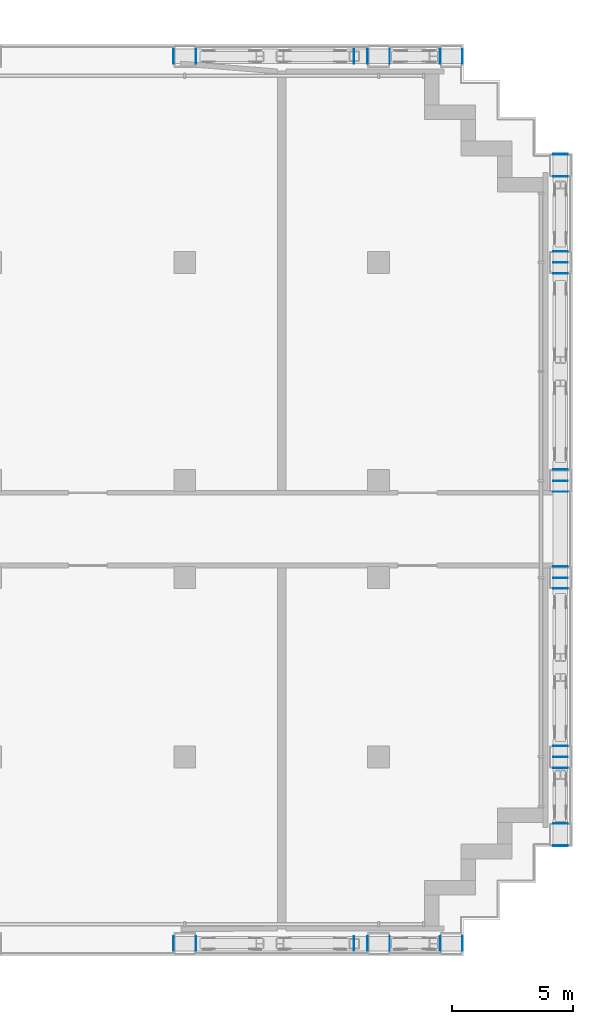
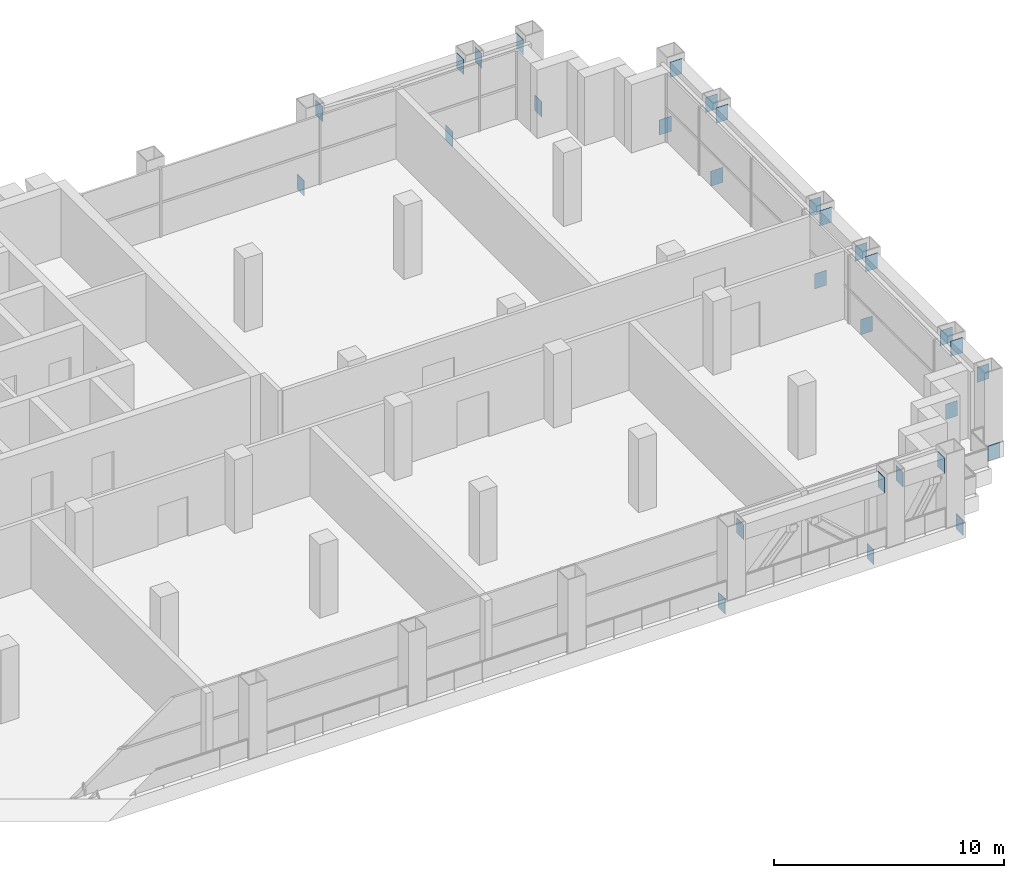
# One storey, part 12 of 19: 30 discrete accessories.
"""IFC4 building model written with IfcOpenShell, lengths in metres."""

from ifc_helpers import new_model, si_unit, direction, frame, origin, origin_2d, place, context, subcontext, project, spatial, rectangle, extrude, element, save


model = new_model("IFC4")

# Units and contexts
model_context = context("Model", 3, precision=1e-05, world=origin(), true_north=direction((0.0, 1.0)))
body_context = subcontext(model_context, "Body", "Model", "MODEL_VIEW")
ifc_project = project(units=[si_unit("LENGTHUNIT", "METRE"), si_unit("AREAUNIT", "SQUARE_METRE"), si_unit("VOLUMEUNIT", "CUBIC_METRE"), si_unit("PLANEANGLEUNIT", "RADIAN"), si_unit("MASSUNIT", "GRAM", prefix="KILO")], contexts=[model_context])

# Site, building, storey
site_placement = place(None, origin())
site = spatial("IfcSite", under=ifc_project, at=site_placement, CompositionType="ELEMENT")
building_placement = place(site_placement, origin())
building = spatial("IfcBuilding", under=site, at=building_placement, Name="Vidyagriha Tower", CompositionType="ELEMENT")
storey_placement = place(building_placement, frame((0.0, 0.0, 73.60009765625)))
storey = spatial("IfcBuildingStorey", under=building, at=storey_placement, Name="L18", CompositionType="ELEMENT", Elevation=73.60009765625)

# Discrete accessories
discrete_accessory_1_placement = place(storey_placement, frame((25.534912109375, -17.10009765625, -0.80029296875), z_axis=(0.0, 0.0, 1.0), x_axis=(-1.0, 0.0, 0.0)))
element("IfcDiscreteAccessory", 1, at=discrete_accessory_1_placement, inside=storey, Name="Chord end plate", ObjectType="END PLATE", PredefinedType="USERDEFINED", context=body_context, shape_type="SweptSolid", body=[
    extrude(rectangle(XDim=0.030029296875, YDim=0.60009765625, at=origin_2d()), origin(), (0.0, 0.0, 1.0), 0.800048828125),
])
discrete_accessory_2_placement = place(storey_placement, frame((37.465087890625, -17.10009765625, -0.80029296875)))
element("IfcDiscreteAccessory", 2, at=discrete_accessory_2_placement, inside=storey, Name="Chord end plate", ObjectType="END PLATE", PredefinedType="USERDEFINED", context=body_context, shape_type="SweptSolid", body=[
    extrude(rectangle(XDim=0.030029296875, YDim=0.60009765625, at=origin_2d()), origin(), (0.0, 0.0, 1.0), 0.800048828125),
])
discrete_accessory_3_placement = place(storey_placement, frame((25.534912109375, 19.5, -0.80029296875), z_axis=(0.0, 0.0, 1.0), x_axis=(-1.0, 0.0, 0.0)))
element("IfcDiscreteAccessory", 3, at=discrete_accessory_3_placement, inside=storey, Name="Chord end plate", ObjectType="END PLATE", PredefinedType="USERDEFINED", context=body_context, shape_type="SweptSolid", body=[
    extrude(rectangle(XDim=0.030029296875, YDim=0.60009765625, at=origin_2d()), origin(), (0.0, 0.0, 1.0), 0.800048828125),
])
discrete_accessory_4_placement = place(storey_placement, frame((37.465087890625, 19.5, -0.80029296875)))
element("IfcDiscreteAccessory", 4, at=discrete_accessory_4_placement, inside=storey, Name="Chord end plate", ObjectType="END PLATE", PredefinedType="USERDEFINED", context=body_context, shape_type="SweptSolid", body=[
    extrude(rectangle(XDim=0.030029296875, YDim=0.60009765625, at=origin_2d()), origin(), (0.0, 0.0, 1.0), 0.800048828125),
])
for number, where, z_axis, x_axis, name in (
    (5, (41.5, -13.06494140625, -0.80029296875), (0.0, 0.0, 1.0), (0.0, -1.0, 0.0), "Chord end plate"),
    (6, (41.5, 15.465087890625, -0.80029296875), (0.0, 0.0, 1.0), (0.0, 1.0, 0.0), "Chord end plate"),
):
    element("IfcDiscreteAccessory", number, at=place(storey_placement, frame(where, z_axis=z_axis, x_axis=x_axis)), inside=storey, Name=name, ObjectType="END PLATE", PredefinedType="USERDEFINED", context=body_context, shape_type="SweptSolid", body=[
        extrude(rectangle(XDim=0.030029296875, YDim=0.60009765625, at=origin_2d()), origin(), (0.0, 0.0, 1.0), 0.800048828125),
    ])
discrete_accessory_5_placement = place(storey_placement, frame((32.990234375, -17.10009765625, -0.80029296875)))
element("IfcDiscreteAccessory", 7, at=discrete_accessory_5_placement, inside=storey, Name="End plate ASTM A572 Grade 50 20mm", ObjectType="END PLATE", PredefinedType="USERDEFINED", context=body_context, shape_type="SweptSolid", body=[
    extrude(rectangle(XDim=0.02001953125, YDim=0.60009765625, at=origin_2d()), origin(), (0.0, 0.0, 1.0), 0.800048828125),
])
discrete_accessory_6_placement = place(storey_placement, frame((26.459716796875, -17.10009765625, 2.81982421875), z_axis=(0.0, 0.0, 1.0), x_axis=(-1.0, 0.0, 0.0)))
element("IfcDiscreteAccessory", 8, at=discrete_accessory_6_placement, inside=storey, Name="End plate ASTM A572 Grade 50 20mm", ObjectType="END PLATE", PredefinedType="USERDEFINED", context=body_context, shape_type="SweptSolid", body=[
    extrude(rectangle(XDim=0.02001953125, YDim=0.60009765625, at=origin_2d()), origin(), (0.0, 0.0, 1.0), 0.800048828125),
])
discrete_accessory_7_placement = place(storey_placement, frame((33.540283203125, -17.10009765625, 2.81982421875)))
element("IfcDiscreteAccessory", 9, at=discrete_accessory_7_placement, inside=storey, Name="End plate ASTM A572 Grade 50 20mm", ObjectType="END PLATE", PredefinedType="USERDEFINED", context=body_context, shape_type="SweptSolid", body=[
    extrude(rectangle(XDim=0.02001953125, YDim=0.60009765625, at=origin_2d()), origin(), (0.0, 0.0, 1.0), 0.800048828125),
])
discrete_accessory_8_placement = place(storey_placement, frame((34.459716796875, -17.10009765625, 2.81982421875), z_axis=(0.0, 0.0, 1.0), x_axis=(-1.0, 0.0, 0.0)))
element("IfcDiscreteAccessory", 10, at=discrete_accessory_8_placement, inside=storey, Name="End plate ASTM A572 Grade 50 20mm", ObjectType="END PLATE", PredefinedType="USERDEFINED", context=body_context, shape_type="SweptSolid", body=[
    extrude(rectangle(XDim=0.02001953125, YDim=0.60009765625, at=origin_2d()), origin(), (0.0, 0.0, 1.0), 0.800048828125),
])
for number, where, name in (
    (11, (36.540283203125, -17.10009765625, 2.81982421875), "End plate ASTM A572 Grade 50 20mm"),
    (12, (32.990234375, 19.5, -0.80029296875), "End plate ASTM A572 Grade 50 20mm"),
):
    element("IfcDiscreteAccessory", number, at=place(storey_placement, frame(where)), inside=storey, Name=name, ObjectType="END PLATE", PredefinedType="USERDEFINED", context=body_context, shape_type="SweptSolid", body=[
        extrude(rectangle(XDim=0.02001953125, YDim=0.60009765625, at=origin_2d()), origin(), (0.0, 0.0, 1.0), 0.800048828125),
    ])
discrete_accessory_9_placement = place(storey_placement, frame((26.459716796875, 19.5, 2.81982421875), z_axis=(0.0, 0.0, 1.0), x_axis=(-1.0, 0.0, 0.0)))
element("IfcDiscreteAccessory", 13, at=discrete_accessory_9_placement, inside=storey, Name="End plate ASTM A572 Grade 50 20mm", ObjectType="END PLATE", PredefinedType="USERDEFINED", context=body_context, shape_type="SweptSolid", body=[
    extrude(rectangle(XDim=0.02001953125, YDim=0.60009765625, at=origin_2d()), origin(), (0.0, 0.0, 1.0), 0.800048828125),
])
discrete_accessory_10_placement = place(storey_placement, frame((33.540283203125, 19.5, 2.81982421875)))
element("IfcDiscreteAccessory", 14, at=discrete_accessory_10_placement, inside=storey, Name="End plate ASTM A572 Grade 50 20mm", ObjectType="END PLATE", PredefinedType="USERDEFINED", context=body_context, shape_type="SweptSolid", body=[
    extrude(rectangle(XDim=0.02001953125, YDim=0.60009765625, at=origin_2d()), origin(), (0.0, 0.0, 1.0), 0.800048828125),
])
discrete_accessory_11_placement = place(storey_placement, frame((34.459716796875, 19.5, 2.81982421875), z_axis=(0.0, 0.0, 1.0), x_axis=(-1.0, 0.0, 0.0)))
element("IfcDiscreteAccessory", 15, at=discrete_accessory_11_placement, inside=storey, Name="End plate ASTM A572 Grade 50 20mm", ObjectType="END PLATE", PredefinedType="USERDEFINED", context=body_context, shape_type="SweptSolid", body=[
    extrude(rectangle(XDim=0.02001953125, YDim=0.60009765625, at=origin_2d()), origin(), (0.0, 0.0, 1.0), 0.800048828125),
])
discrete_accessory_12_placement = place(storey_placement, frame((36.540283203125, 19.5, 2.81982421875)))
element("IfcDiscreteAccessory", 16, at=discrete_accessory_12_placement, inside=storey, Name="End plate ASTM A572 Grade 50 20mm", ObjectType="END PLATE", PredefinedType="USERDEFINED", context=body_context, shape_type="SweptSolid", body=[
    extrude(rectangle(XDim=0.02001953125, YDim=0.60009765625, at=origin_2d()), origin(), (0.0, 0.0, 1.0), 0.800048828125),
])
for number, where, z_axis, x_axis, name in (
    (17, (41.5, -9.409912109375, -0.80029296875), (0.0, 0.0, 1.0), (0.0, 1.0, 0.0), "End plate ASTM A572 Grade 50 20mm"),
    (18, (41.5, -12.14013671875, 2.81982421875), (0.0, 0.0, 1.0), (0.0, -1.0, 0.0), "End plate ASTM A572 Grade 50 20mm"),
    (19, (41.5, -9.85986328125, 2.81982421875), (0.0, 0.0, 1.0), (0.0, 1.0, 0.0), "End plate ASTM A572 Grade 50 20mm"),
    (20, (41.5, -2.009765625, -0.80029296875), (0.0, 0.0, 1.0), (0.0, 1.0, 0.0), "End plate ASTM A572 Grade 50 20mm"),
    (21, (41.5, -8.940185546875, 2.81982421875), (0.0, 0.0, 1.0), (0.0, -1.0, 0.0), "End plate ASTM A572 Grade 50 20mm"),
    (22, (41.5, -2.459716796875, 2.81982421875), (0.0, 0.0, 1.0), (0.0, 1.0, 0.0), "End plate ASTM A572 Grade 50 20mm"),
    (23, (41.5, 1.990234375, -0.80029296875), (0.0, 0.0, 1.0), (0.0, 1.0, 0.0), "End plate ASTM A572 Grade 50 20mm"),
    (24, (41.5, -1.540283203125, 2.81982421875), (0.0, 0.0, 1.0), (0.0, -1.0, 0.0), "End plate ASTM A572 Grade 50 20mm"),
    (25, (41.5, 1.540283203125, 2.81982421875), (0.0, 0.0, 1.0), (0.0, 1.0, 0.0), "End plate ASTM A572 Grade 50 20mm"),
    (26, (41.5, 10.990234375, -0.80029296875), (0.0, 0.0, 1.0), (0.0, 1.0, 0.0), "End plate ASTM A572 Grade 50 20mm"),
    (27, (41.5, 2.459716796875, 2.81982421875), (0.0, 0.0, 1.0), (0.0, -1.0, 0.0), "End plate ASTM A572 Grade 50 20mm"),
    (28, (41.5, 10.540283203125, 2.81982421875), (0.0, 0.0, 1.0), (0.0, 1.0, 0.0), "End plate ASTM A572 Grade 50 20mm"),
    (29, (41.5, 11.459716796875, 2.81982421875), (0.0, 0.0, 1.0), (0.0, -1.0, 0.0), "End plate ASTM A572 Grade 50 20mm"),
    (30, (41.5, 14.540283203125, 2.81982421875), (0.0, 0.0, 1.0), (0.0, 1.0, 0.0), "End plate ASTM A572 Grade 50 20mm"),
):
    element("IfcDiscreteAccessory", number, at=place(storey_placement, frame(where, z_axis=z_axis, x_axis=x_axis)), inside=storey, Name=name, ObjectType="END PLATE", PredefinedType="USERDEFINED", context=body_context, shape_type="SweptSolid", body=[
        extrude(rectangle(XDim=0.02001953125, YDim=0.60009765625, at=origin_2d()), origin(), (0.0, 0.0, 1.0), 0.800048828125),
    ])

save(model, "model.ifc")
